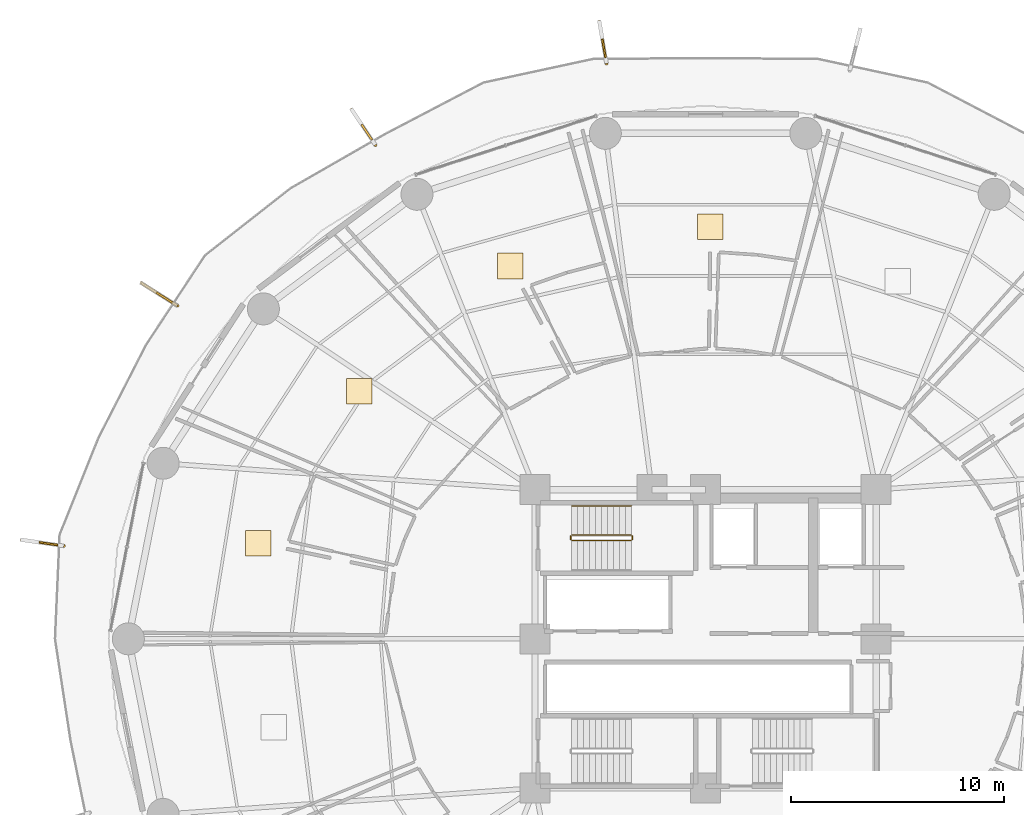
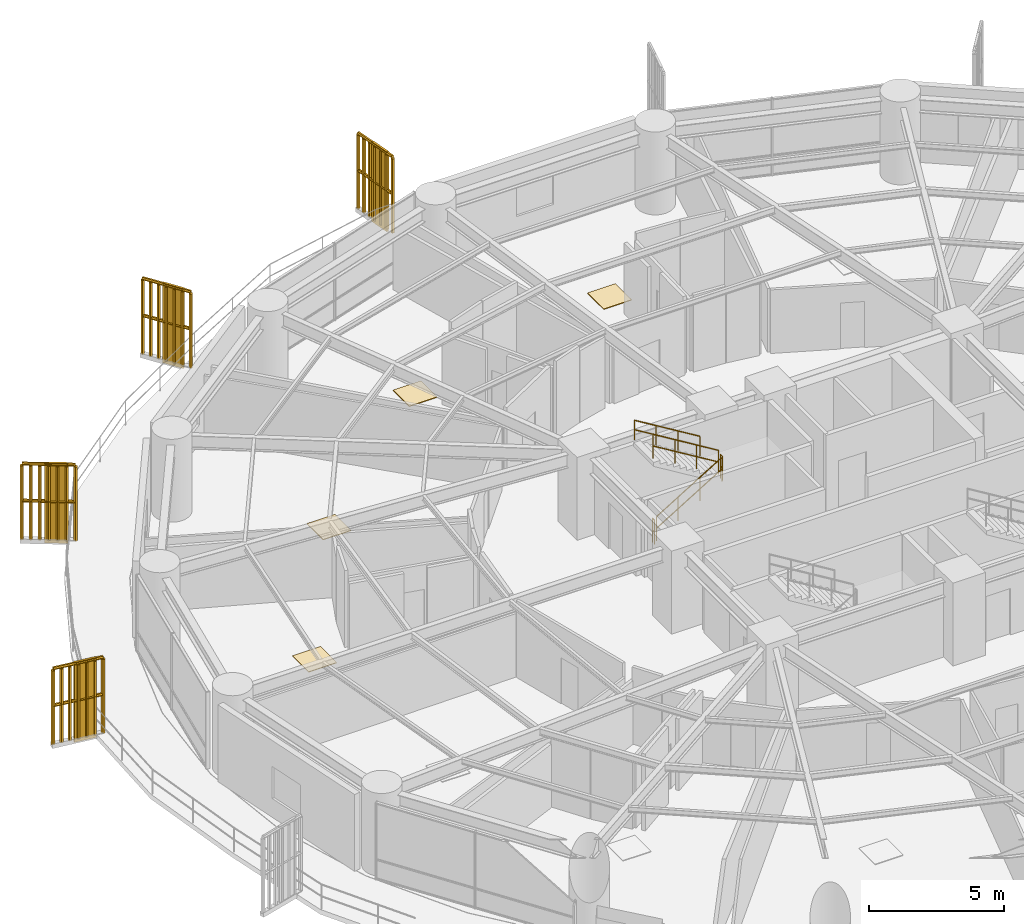
# One storey, part 32 of 33: 9 railings, 4 coverings, 4 shading devices.
"""IFC4 building model written with IfcOpenShell, lengths in metres."""

from ifc_helpers import new_model, si_unit, direction, frame, origin, origin_2d, place, context, subcontext, project, spatial, polyline, rectangle, outline, extrude, source, transform, mapped, material, layer, layer_set, type_object, element, save


model = new_model("IFC4")

# Units and contexts
model_context = context("Model", 3, precision=1e-05, world=origin(), true_north=direction((0.0, 1.0)))
body_context = subcontext(model_context, "Body", "Model", "MODEL_VIEW")
ifc_project = project(units=[si_unit("LENGTHUNIT", "METRE"), si_unit("AREAUNIT", "SQUARE_METRE"), si_unit("VOLUMEUNIT", "CUBIC_METRE"), si_unit("PLANEANGLEUNIT", "RADIAN"), si_unit("MASSUNIT", "GRAM", prefix="KILO")], contexts=[model_context])

# Site, building, storey
site_placement = place(None, origin())
site = spatial("IfcSite", under=ifc_project, at=site_placement, CompositionType="ELEMENT")
building_placement = place(site_placement, origin())
building = spatial("IfcBuilding", under=site, at=building_placement, Name="Kelanora Arch Commons", CompositionType="ELEMENT")
storey_placement = place(building_placement, frame((0.0, 0.0, 26.25)))
storey = spatial("IfcBuildingStorey", under=building, at=storey_placement, Name="L06", CompositionType="ELEMENT", Elevation=26.25)

# Railings
ifc_material_1 = material(Name="Anodised bronze vertical shading fin rib assembly")
railing_type_1 = type_object("IfcRailingType", Name="RAIL-FIN-BRZ", PredefinedType="BALUSTRADE", material=ifc_material_1)
railing_1_placement = place(storey_placement, frame((69.354248046875, 84.993896484375, -0.02001953125)))
element("IfcRailing", 1, at=railing_1_placement, inside=storey, type_object=railing_type_1, Name="Sweeping Bronze Vertical Fin Blade L06-04", PredefinedType="BALUSTRADE", context=body_context, shape_type="SweptSolid", body=[
    extrude(outline(polyline([(0.06982421875, 0.0), (0.034912109375, 0.060546875), (-0.034912109375, 0.060546875), (-0.06982421875, 0.0), (-0.034912109375, -0.060546875), (0.034912109375, -0.060546875), (0.06982421875, 0.0)])), frame((0.0, 0.0, 3.419921875), z_axis=(-0.16958275227, 0.985515951232, 0.0), x_axis=(-0.985515951232, -0.16958275227, 0.0)), (0.0, 0.0, 1.0), 1.992431640625),
    extrude(outline(polyline([(0.06982421875, 0.0), (0.034912109375, 0.060546875), (-0.034912109375, 0.060546875), (-0.06982421875, 0.0), (-0.034912109375, -0.060546875), (0.034912109375, -0.060546875), (0.06982421875, 0.0)])), frame((0.0, 0.0, 1.7451171875), z_axis=(-0.16958275227, 0.985515951232, 0.0), x_axis=(-0.985515951232, -0.16958275227, 0.0)), (0.0, 0.0, 1.0), 1.992431640625),
    extrude(outline(polyline([(0.080078125, 0.0), (0.0400390625, 0.0693359375), (-0.0400390625, 0.0693359375), (-0.080078125, 0.0), (-0.0400390625, -0.0693359375), (0.0400390625, -0.0693359375), (0.080078125, 0.0)])), origin(), (0.0, 0.0, 1.0), 3.35009765625),
    extrude(outline(polyline([(0.080078125, 0.0), (0.0400390625, 0.0693359375), (-0.0400390625, 0.0693359375), (-0.080078125, 0.0), (-0.0400390625, -0.0693359375), (0.0400390625, -0.0693359375), (0.080078125, 0.0)])), frame((-0.056396484375, 0.3271484375, 0.0)), (0.0, 0.0, 1.0), 3.35009765625),
    extrude(outline(polyline([(0.080078125, 0.0), (0.0400390625, 0.0693359375), (-0.0400390625, 0.0693359375), (-0.080078125, 0.0), (-0.0400390625, -0.0693359375), (0.0400390625, -0.0693359375), (0.080078125, 0.0)])), frame((-0.112548828125, 0.654541015625, 0.0)), (0.0, 0.0, 1.0), 3.35009765625),
    extrude(outline(polyline([(0.080078125, 0.0), (0.0400390625, 0.0693359375), (-0.0400390625, 0.0693359375), (-0.080078125, 0.0), (-0.0400390625, -0.0693359375), (0.0400390625, -0.0693359375), (0.080078125, 0.0)])), frame((-0.1689453125, 0.98193359375, 0.0)), (0.0, 0.0, 1.0), 3.35009765625),
    extrude(outline(polyline([(0.080078125, 0.0), (0.0400390625, 0.0693359375), (-0.0400390625, 0.0693359375), (-0.080078125, 0.0), (-0.0400390625, -0.0693359375), (0.0400390625, -0.0693359375), (0.080078125, 0.0)])), frame((-0.225341796875, 1.30908203125, 0.0)), (0.0, 0.0, 1.0), 3.35009765625),
    extrude(outline(polyline([(0.080078125, 0.0), (0.0400390625, 0.0693359375), (-0.0400390625, 0.0693359375), (-0.080078125, 0.0), (-0.0400390625, -0.0693359375), (0.0400390625, -0.0693359375), (0.080078125, 0.0)])), frame((-0.281494140625, 1.63623046875, 0.0)), (0.0, 0.0, 1.0), 3.35009765625),
    extrude(outline(polyline([(0.080078125, 0.0), (0.0400390625, 0.0693359375), (-0.0400390625, 0.0693359375), (-0.080078125, 0.0), (-0.0400390625, -0.0693359375), (0.0400390625, -0.0693359375), (0.080078125, 0.0)])), frame((-0.337890625, 1.963623046875, 0.0)), (0.0, 0.0, 1.0), 3.35009765625),
])
railing_2_placement = place(storey_placement, frame((58.51025390625, 81.168701171875, -0.02001953125)))
element("IfcRailing", 2, at=railing_2_placement, inside=storey, type_object=railing_type_1, Name="Sweeping Bronze Vertical Fin Blade L06-05", PredefinedType="BALUSTRADE", context=body_context, shape_type="SweptSolid", body=[
    extrude(outline(polyline([(0.06982421875, 0.0), (0.034912109375, 0.060546875), (-0.034912109375, 0.060546875), (-0.06982421875, 0.0), (-0.034912109375, -0.060546875), (0.034912109375, -0.060546875), (0.06982421875, 0.0)])), frame((0.0, 0.0, 3.419921875), z_axis=(-0.555774185253, 0.83133329959, 0.0), x_axis=(-0.83133329959, -0.555774185253, 0.0)), (0.0, 0.0, 1.0), 1.99267578125),
    extrude(outline(polyline([(0.06982421875, 0.0), (0.034912109375, 0.060546875), (-0.034912109375, 0.060546875), (-0.06982421875, 0.0), (-0.034912109375, -0.060546875), (0.034912109375, -0.060546875), (0.06982421875, 0.0)])), frame((0.0, 0.0, 1.7451171875), z_axis=(-0.555774185253, 0.83133329959, 0.0), x_axis=(-0.83133329959, -0.555774185253, 0.0)), (0.0, 0.0, 1.0), 1.99267578125),
    extrude(outline(polyline([(0.080078125, 0.0), (0.0400390625, 0.0693359375), (-0.0400390625, 0.0693359375), (-0.080078125, 0.0), (-0.0400390625, -0.0693359375), (0.0400390625, -0.0693359375), (0.080078125, 0.0)])), origin(), (0.0, 0.0, 1.0), 3.35009765625),
    extrude(outline(polyline([(0.080078125, 0.0), (0.0400390625, 0.0693359375), (-0.0400390625, 0.0693359375), (-0.080078125, 0.0), (-0.0400390625, -0.0693359375), (0.0400390625, -0.0693359375), (0.080078125, 0.0)])), frame((-0.1845703125, 0.276123046875, 0.0)), (0.0, 0.0, 1.0), 3.35009765625),
    extrude(outline(polyline([(0.080078125, 0.0), (0.0400390625, 0.0693359375), (-0.0400390625, 0.0693359375), (-0.080078125, 0.0), (-0.0400390625, -0.0693359375), (0.0400390625, -0.0693359375), (0.080078125, 0.0)])), frame((-0.369140625, 0.55224609375, 0.0)), (0.0, 0.0, 1.0), 3.35009765625),
    extrude(outline(polyline([(0.080078125, 0.0), (0.0400390625, 0.0693359375), (-0.0400390625, 0.0693359375), (-0.080078125, 0.0), (-0.0400390625, -0.0693359375), (0.0400390625, -0.0693359375), (0.080078125, 0.0)])), frame((-0.5537109375, 0.828125, 0.0)), (0.0, 0.0, 1.0), 3.35009765625),
    extrude(outline(polyline([(0.080078125, 0.0), (0.0400390625, 0.0693359375), (-0.0400390625, 0.0693359375), (-0.080078125, 0.0), (-0.0400390625, -0.0693359375), (0.0400390625, -0.0693359375), (0.080078125, 0.0)])), frame((-0.73828125, 1.104248046875, 0.0)), (0.0, 0.0, 1.0), 3.35009765625),
    extrude(outline(polyline([(0.080078125, 0.0), (0.0400390625, 0.0693359375), (-0.0400390625, 0.0693359375), (-0.080078125, 0.0), (-0.0400390625, -0.0693359375), (0.0400390625, -0.0693359375), (0.080078125, 0.0)])), frame((-0.9228515625, 1.38037109375, 0.0)), (0.0, 0.0, 1.0), 3.35009765625),
    extrude(outline(polyline([(0.080078125, 0.0), (0.0400390625, 0.0693359375), (-0.0400390625, 0.0693359375), (-0.080078125, 0.0), (-0.0400390625, -0.0693359375), (0.0400390625, -0.0693359375), (0.080078125, 0.0)])), frame((-1.107421875, 1.656494140625, 0.0)), (0.0, 0.0, 1.0), 3.35009765625),
])
railing_3_placement = place(storey_placement, frame((49.220703125, 73.62548828125, -0.02001953125)))
element("IfcRailing", 3, at=railing_3_placement, inside=storey, type_object=railing_type_1, Name="Sweeping Bronze Vertical Fin Blade L06-06", PredefinedType="BALUSTRADE", context=body_context, shape_type="SweptSolid", body=[
    extrude(outline(polyline([(0.06982421875, 0.0), (0.034912109375, 0.060546875), (-0.034912109375, 0.060546875), (-0.06982421875, 0.0), (-0.034912109375, -0.060546875), (0.034912109375, -0.060546875), (0.06982421875, 0.0)])), frame((0.0, 0.0, 3.419921875), z_axis=(-0.845864308413, 0.533398136248, 0.0), x_axis=(-0.533398136248, -0.845864308413, 0.0)), (0.0, 0.0, 1.0), 1.992431640625),
    extrude(outline(polyline([(0.06982421875, 0.0), (0.034912109375, 0.060546875), (-0.034912109375, 0.060546875), (-0.06982421875, 0.0), (-0.034912109375, -0.060546875), (0.034912109375, -0.060546875), (0.06982421875, 0.0)])), frame((0.0, 0.0, 1.7451171875), z_axis=(-0.845864308413, 0.533398136248, 0.0), x_axis=(-0.533398136248, -0.845864308413, 0.0)), (0.0, 0.0, 1.0), 1.992431640625),
    extrude(outline(polyline([(0.080078125, 0.0), (0.0400390625, 0.0693359375), (-0.0400390625, 0.0693359375), (-0.080078125, 0.0), (-0.0400390625, -0.0693359375), (0.0400390625, -0.0693359375), (0.080078125, 0.0)])), origin(), (0.0, 0.0, 1.0), 3.35009765625),
    extrude(outline(polyline([(0.080078125, 0.0), (0.0400390625, 0.0693359375), (-0.0400390625, 0.0693359375), (-0.080078125, 0.0), (-0.0400390625, -0.0693359375), (0.0400390625, -0.0693359375), (0.080078125, 0.0)])), frame((-0.28076171875, 0.17724609375, 0.0)), (0.0, 0.0, 1.0), 3.35009765625),
    extrude(outline(polyline([(0.080078125, 0.0), (0.0400390625, 0.0693359375), (-0.0400390625, 0.0693359375), (-0.080078125, 0.0), (-0.0400390625, -0.0693359375), (0.0400390625, -0.0693359375), (0.080078125, 0.0)])), frame((-0.561767578125, 0.354248046875, 0.0)), (0.0, 0.0, 1.0), 3.35009765625),
    extrude(outline(polyline([(0.080078125, 0.0), (0.0400390625, 0.0693359375), (-0.0400390625, 0.0693359375), (-0.080078125, 0.0), (-0.0400390625, -0.0693359375), (0.0400390625, -0.0693359375), (0.080078125, 0.0)])), frame((-0.8427734375, 0.53125, 0.0)), (0.0, 0.0, 1.0), 3.35009765625),
    extrude(outline(polyline([(0.080078125, 0.0), (0.0400390625, 0.0693359375), (-0.0400390625, 0.0693359375), (-0.080078125, 0.0), (-0.0400390625, -0.0693359375), (0.0400390625, -0.0693359375), (0.080078125, 0.0)])), frame((-1.12353515625, 0.70849609375, 0.0)), (0.0, 0.0, 1.0), 3.35009765625),
    extrude(outline(polyline([(0.080078125, 0.0), (0.0400390625, 0.0693359375), (-0.0400390625, 0.0693359375), (-0.080078125, 0.0), (-0.0400390625, -0.0693359375), (0.0400390625, -0.0693359375), (0.080078125, 0.0)])), frame((-1.404296875, 0.8857421875, 0.0)), (0.0, 0.0, 1.0), 3.35009765625),
    extrude(outline(polyline([(0.080078125, 0.0), (0.0400390625, 0.0693359375), (-0.0400390625, 0.0693359375), (-0.080078125, 0.0), (-0.0400390625, -0.0693359375), (0.0400390625, -0.0693359375), (0.080078125, 0.0)])), frame((-1.685302734375, 1.062744140625, 0.0)), (0.0, 0.0, 1.0), 3.35009765625),
])
railing_4_placement = place(storey_placement, frame((43.888916015625, 62.35791015625, -0.02001953125)))
element("IfcRailing", 4, at=railing_4_placement, inside=storey, type_object=railing_type_1, Name="Sweeping Bronze Vertical Fin Blade L06-07", PredefinedType="BALUSTRADE", context=body_context, shape_type="SweptSolid", body=[
    extrude(outline(polyline([(0.06982421875, 0.0), (0.034912109375, 0.060546875), (-0.034912109375, 0.060546875), (-0.06982421875, 0.0), (-0.034912109375, -0.060546875), (0.034912109375, -0.060546875), (0.06982421875, 0.0)])), frame((0.0, 0.0, 3.419921875), z_axis=(-0.989688056564, 0.143239487201, 0.0), x_axis=(-0.143239487201, -0.989688056564, 0.0)), (0.0, 0.0, 1.0), 1.992431640625),
    extrude(outline(polyline([(0.06982421875, 0.0), (0.034912109375, 0.060546875), (-0.034912109375, 0.060546875), (-0.06982421875, 0.0), (-0.034912109375, -0.060546875), (0.034912109375, -0.060546875), (0.06982421875, 0.0)])), frame((0.0, 0.0, 1.7451171875), z_axis=(-0.989688056564, 0.143239487201, 0.0), x_axis=(-0.143239487201, -0.989688056564, 0.0)), (0.0, 0.0, 1.0), 1.992431640625),
    extrude(outline(polyline([(0.080078125, 0.0), (0.0400390625, 0.0693359375), (-0.0400390625, 0.0693359375), (-0.080078125, 0.0), (-0.0400390625, -0.0693359375), (0.0400390625, -0.0693359375), (0.080078125, 0.0)])), origin(), (0.0, 0.0, 1.0), 3.35009765625),
    extrude(outline(polyline([(0.080078125, 0.0), (0.0400390625, 0.0693359375), (-0.0400390625, 0.0693359375), (-0.080078125, 0.0), (-0.0400390625, -0.0693359375), (0.0400390625, -0.0693359375), (0.080078125, 0.0)])), frame((-0.32861328125, 0.047607421875, 0.0)), (0.0, 0.0, 1.0), 3.35009765625),
    extrude(outline(polyline([(0.080078125, 0.0), (0.0400390625, 0.0693359375), (-0.0400390625, 0.0693359375), (-0.080078125, 0.0), (-0.0400390625, -0.0693359375), (0.0400390625, -0.0693359375), (0.080078125, 0.0)])), frame((-0.6572265625, 0.09521484375, 0.0)), (0.0, 0.0, 1.0), 3.35009765625),
    extrude(outline(polyline([(0.080078125, 0.0), (0.0400390625, 0.0693359375), (-0.0400390625, 0.0693359375), (-0.080078125, 0.0), (-0.0400390625, -0.0693359375), (0.0400390625, -0.0693359375), (0.080078125, 0.0)])), frame((-0.98583984375, 0.142578125, 0.0)), (0.0, 0.0, 1.0), 3.35009765625),
    extrude(outline(polyline([(0.080078125, 0.0), (0.0400390625, 0.0693359375), (-0.0400390625, 0.0693359375), (-0.080078125, 0.0), (-0.0400390625, -0.0693359375), (0.0400390625, -0.0693359375), (0.080078125, 0.0)])), frame((-1.314697265625, 0.190185546875, 0.0)), (0.0, 0.0, 1.0), 3.35009765625),
    extrude(outline(polyline([(0.080078125, 0.0), (0.0400390625, 0.0693359375), (-0.0400390625, 0.0693359375), (-0.080078125, 0.0), (-0.0400390625, -0.0693359375), (0.0400390625, -0.0693359375), (0.080078125, 0.0)])), frame((-1.643310546875, 0.23779296875, 0.0)), (0.0, 0.0, 1.0), 3.35009765625),
    extrude(outline(polyline([(0.080078125, 0.0), (0.0400390625, 0.0693359375), (-0.0400390625, 0.0693359375), (-0.080078125, 0.0), (-0.0400390625, -0.0693359375), (0.0400390625, -0.0693359375), (0.080078125, 0.0)])), frame((-1.971923828125, 0.285400390625, 0.0)), (0.0, 0.0, 1.0), 3.35009765625),
])
ifc_material_2 = material(Name="Painted steel stair well guard", Category="steel")
railing_type_2 = type_object("IfcRailingType", Name="RAIL-STAIR-GRD", PredefinedType="GUARDRAIL", material=ifc_material_2)
railing_5_placement = place(storey_placement, frame((67.719970703125, 62.610107421875, 0.17041015625)))
element("IfcRailing", 5, at=railing_5_placement, inside=storey, type_object=railing_type_2, Name="L06 ST-T1 stair guard 1", PredefinedType="GUARDRAIL", context=body_context, shape_type="SweptSolid", body=[
    extrude(outline(polyline([(0.02392578125, 0.0), (0.011962890625, 0.020751953125), (-0.011962890625, 0.020751953125), (-0.02392578125, 0.0), (-0.011962890625, -0.020751953125), (0.011962890625, -0.020751953125), (0.02392578125, 0.0)])), frame((0.0, 0.0, 1.076171875), z_axis=(0.854169791009, 0.0, 0.51999420009), x_axis=(0.0, 1.0, 0.0)), (0.0, 0.0, 1.0), 3.278076171875),
    extrude(outline(polyline([(0.02392578125, 0.0), (0.011962890625, 0.020751953125), (-0.011962890625, 0.020751953125), (-0.02392578125, 0.0), (-0.011962890625, -0.020751953125), (0.011962890625, -0.020751953125), (0.02392578125, 0.0)])), frame((0.0, 0.0, 0.550048828125), z_axis=(0.854169791009, 0.0, 0.51999420009), x_axis=(0.0, 1.0, 0.0)), (0.0, 0.0, 1.0), 3.278076171875),
    extrude(outline(polyline([(0.02099609375, 0.0), (0.010498046875, 0.01806640625), (-0.010498046875, 0.01806640625), (-0.02099609375, 0.0), (-0.010498046875, -0.01806640625), (0.010498046875, -0.01806640625), (0.02099609375, 0.0)])), origin(), (0.0, 0.0, 1.0), 1.052001953125),
    extrude(outline(polyline([(0.02099609375, 0.0), (0.010498046875, 0.01806640625), (-0.010498046875, 0.01806640625), (-0.02099609375, 0.0), (-0.010498046875, -0.01806640625), (0.010498046875, -0.01806640625), (0.02099609375, 0.0)])), frame((0.933349609375, 0.0, 0.568115234375)), (0.0, 0.0, 1.0), 1.052001953125),
    extrude(outline(polyline([(0.02099609375, 0.0), (0.010498046875, 0.01806640625), (-0.010498046875, 0.01806640625), (-0.02099609375, 0.0), (-0.010498046875, -0.01806640625), (0.010498046875, -0.01806640625), (0.02099609375, 0.0)])), frame((1.86669921875, 0.0, 1.136474609375)), (0.0, 0.0, 1.0), 1.052001953125),
    extrude(outline(polyline([(0.02099609375, 0.0), (0.010498046875, 0.01806640625), (-0.010498046875, 0.01806640625), (-0.02099609375, 0.0), (-0.010498046875, -0.01806640625), (0.010498046875, -0.01806640625), (0.02099609375, 0.0)])), frame((2.800048828125, 0.0, 1.70458984375)), (0.0, 0.0, 1.0), 1.052001953125),
])
railing_6_placement = place(storey_placement, frame((70.570068359375, 62.659912109375, 1.875)))
element("IfcRailing", 6, at=railing_6_placement, inside=storey, type_object=railing_type_2, Name="L06 ST-T1 stair guard 2", PredefinedType="GUARDRAIL", context=body_context, shape_type="SweptSolid", body=[
    extrude(outline(polyline([(0.02392578125, 0.0), (0.011962890625, 0.020751953125), (-0.011962890625, 0.020751953125), (-0.02392578125, 0.0), (-0.011962890625, -0.020751953125), (0.011962890625, -0.020751953125), (0.02392578125, 0.0)])), frame((0.0, 0.0, 1.076171875), z_axis=(0.0, 1.0, 0.0), x_axis=(-1.0, 0.0, 0.0)), (0.0, 0.0, 1.0), 0.150146484375),
    extrude(outline(polyline([(0.02392578125, 0.0), (0.011962890625, 0.020751953125), (-0.011962890625, 0.020751953125), (-0.02392578125, 0.0), (-0.011962890625, -0.020751953125), (0.011962890625, -0.020751953125), (0.02392578125, 0.0)])), frame((0.0, 0.0, 0.550048828125), z_axis=(0.0, 1.0, 0.0), x_axis=(-1.0, 0.0, 0.0)), (0.0, 0.0, 1.0), 0.150146484375),
    extrude(outline(polyline([(0.02099609375, 0.0), (0.010498046875, 0.01806640625), (-0.010498046875, 0.01806640625), (-0.02099609375, 0.0), (-0.010498046875, -0.01806640625), (0.010498046875, -0.01806640625), (0.02099609375, 0.0)])), origin(), (0.0, 0.0, 1.0), 1.052001953125),
    extrude(outline(polyline([(0.02099609375, 0.0), (0.010498046875, 0.01806640625), (-0.010498046875, 0.01806640625), (-0.02099609375, 0.0), (-0.010498046875, -0.01806640625), (0.010498046875, -0.01806640625), (0.02099609375, 0.0)])), frame((0.0, 0.150146484375, 0.0)), (0.0, 0.0, 1.0), 1.052001953125),
])
railing_7_placement = place(storey_placement, frame((70.52001953125, 62.860107421875, 2.04541015625)))
element("IfcRailing", 7, at=railing_7_placement, inside=storey, type_object=railing_type_2, Name="L06 ST-T1 stair guard 3", PredefinedType="GUARDRAIL", context=body_context, shape_type="SweptSolid", body=[
    extrude(outline(polyline([(0.02392578125, 0.0), (0.011962890625, 0.020751953125), (-0.011962890625, 0.020751953125), (-0.02392578125, 0.0), (-0.011962890625, -0.020751953125), (0.011962890625, -0.020751953125), (0.02392578125, 0.0)])), frame((0.0, 0.0, 1.076171875), z_axis=(-0.854169791009, 0.0, 0.51999420009), x_axis=(0.0, -1.0, 0.0)), (0.0, 0.0, 1.0), 3.278076171875),
    extrude(outline(polyline([(0.02392578125, 0.0), (0.011962890625, 0.020751953125), (-0.011962890625, 0.020751953125), (-0.02392578125, 0.0), (-0.011962890625, -0.020751953125), (0.011962890625, -0.020751953125), (0.02392578125, 0.0)])), frame((0.0, 0.0, 0.550048828125), z_axis=(-0.854169791009, 0.0, 0.51999420009), x_axis=(0.0, -1.0, 0.0)), (0.0, 0.0, 1.0), 3.278076171875),
    extrude(outline(polyline([(0.02099609375, 0.0), (0.010498046875, 0.01806640625), (-0.010498046875, 0.01806640625), (-0.02099609375, 0.0), (-0.010498046875, -0.01806640625), (0.010498046875, -0.01806640625), (0.02099609375, 0.0)])), origin(), (0.0, 0.0, 1.0), 1.052001953125),
    extrude(outline(polyline([(0.02099609375, 0.0), (0.010498046875, 0.01806640625), (-0.010498046875, 0.01806640625), (-0.02099609375, 0.0), (-0.010498046875, -0.01806640625), (0.010498046875, -0.01806640625), (0.02099609375, 0.0)])), frame((-0.933349609375, 0.0, 0.568115234375)), (0.0, 0.0, 1.0), 1.052001953125),
    extrude(outline(polyline([(0.02099609375, 0.0), (0.010498046875, 0.01806640625), (-0.010498046875, 0.01806640625), (-0.02099609375, 0.0), (-0.010498046875, -0.01806640625), (0.010498046875, -0.01806640625), (0.02099609375, 0.0)])), frame((-1.86669921875, 0.0, 1.136474609375)), (0.0, 0.0, 1.0), 1.052001953125),
    extrude(outline(polyline([(0.02099609375, 0.0), (0.010498046875, 0.01806640625), (-0.010498046875, 0.01806640625), (-0.02099609375, 0.0), (-0.010498046875, -0.01806640625), (0.010498046875, -0.01806640625), (0.02099609375, 0.0)])), frame((-2.800048828125, 0.0, 1.70458984375)), (0.0, 0.0, 1.0), 1.052001953125),
])
railing_8_placement = place(storey_placement, frame((67.669921875, 62.659912109375, 0.0)))
element("IfcRailing", 8, at=railing_8_placement, inside=storey, type_object=railing_type_2, Name="L06 ST-T1 stair guard 4", PredefinedType="GUARDRAIL", context=body_context, shape_type="SweptSolid", body=[
    extrude(outline(polyline([(0.02392578125, 0.0), (0.011962890625, 0.020751953125), (-0.011962890625, 0.020751953125), (-0.02392578125, 0.0), (-0.011962890625, -0.020751953125), (0.011962890625, -0.020751953125), (0.02392578125, 0.0)])), frame((0.0, 0.0, 1.076171875), z_axis=(0.0, 1.0, 0.0), x_axis=(-1.0, 0.0, 0.0)), (0.0, 0.0, 1.0), 0.150146484375),
    extrude(outline(polyline([(0.02392578125, 0.0), (0.011962890625, 0.020751953125), (-0.011962890625, 0.020751953125), (-0.02392578125, 0.0), (-0.011962890625, -0.020751953125), (0.011962890625, -0.020751953125), (0.02392578125, 0.0)])), frame((0.0, 0.0, 0.550048828125), z_axis=(0.0, 1.0, 0.0), x_axis=(-1.0, 0.0, 0.0)), (0.0, 0.0, 1.0), 0.150146484375),
    extrude(outline(polyline([(0.02099609375, 0.0), (0.010498046875, 0.01806640625), (-0.010498046875, 0.01806640625), (-0.02099609375, 0.0), (-0.010498046875, -0.01806640625), (0.010498046875, -0.01806640625), (0.02099609375, 0.0)])), origin(), (0.0, 0.0, 1.0), 1.052001953125),
    extrude(outline(polyline([(0.02099609375, 0.0), (0.010498046875, 0.01806640625), (-0.010498046875, 0.01806640625), (-0.02099609375, 0.0), (-0.010498046875, -0.01806640625), (0.010498046875, -0.01806640625), (0.02099609375, 0.0)])), frame((0.0, 0.150146484375, 0.0)), (0.0, 0.0, 1.0), 1.052001953125),
])
ifc_material_3 = material(Name="Brushed stainless steel stair handrail", Category="steel")
railing_type_3 = type_object("IfcRailingType", Name="RAIL-STAIR-HND", PredefinedType="HANDRAIL", material=ifc_material_3)
railing_9_placement = place(storey_placement, frame((70.52001953125, 64.239990234375, 2.04541015625)))
element("IfcRailing", 9, at=railing_9_placement, inside=storey, type_object=railing_type_3, Name="L06 ST-T1 stair handrail 2", PredefinedType="HANDRAIL", context=body_context, shape_type="SweptSolid", body=[
    extrude(outline(polyline([(0.02392578125, 0.0), (0.011962890625, 0.020751953125), (-0.011962890625, 0.020751953125), (-0.02392578125, 0.0), (-0.011962890625, -0.020751953125), (0.011962890625, -0.020751953125), (0.02392578125, 0.0)])), frame((0.0, 0.0, 0.8759765625), z_axis=(-0.854169791009, 0.0, 0.51999420009), x_axis=(0.0, -1.0, 0.0)), (0.0, 0.0, 1.0), 3.278076171875),
    extrude(outline(polyline([(0.02392578125, 0.0), (0.011962890625, 0.020751953125), (-0.011962890625, 0.020751953125), (-0.02392578125, 0.0), (-0.011962890625, -0.020751953125), (0.011962890625, -0.020751953125), (0.02392578125, 0.0)])), frame((0.0, 0.0, 0.449951171875), z_axis=(-0.854169791009, 0.0, 0.51999420009), x_axis=(0.0, -1.0, 0.0)), (0.0, 0.0, 1.0), 3.278076171875),
    extrude(outline(polyline([(0.02099609375, 0.0), (0.010498046875, 0.01806640625), (-0.010498046875, 0.01806640625), (-0.02099609375, 0.0), (-0.010498046875, -0.01806640625), (0.010498046875, -0.01806640625), (0.02099609375, 0.0)])), origin(), (0.0, 0.0, 1.0), 0.851806640625),
    extrude(outline(polyline([(0.02099609375, 0.0), (0.010498046875, 0.01806640625), (-0.010498046875, 0.01806640625), (-0.02099609375, 0.0), (-0.010498046875, -0.01806640625), (0.010498046875, -0.01806640625), (0.02099609375, 0.0)])), frame((-0.933349609375, 0.0, 0.568115234375)), (0.0, 0.0, 1.0), 0.851806640625),
    extrude(outline(polyline([(0.02099609375, 0.0), (0.010498046875, 0.01806640625), (-0.010498046875, 0.01806640625), (-0.02099609375, 0.0), (-0.010498046875, -0.01806640625), (0.010498046875, -0.01806640625), (0.02099609375, 0.0)])), frame((-1.86669921875, 0.0, 1.136474609375)), (0.0, 0.0, 1.0), 0.851806640625),
    extrude(outline(polyline([(0.02099609375, 0.0), (0.010498046875, 0.01806640625), (-0.010498046875, 0.01806640625), (-0.02099609375, 0.0), (-0.010498046875, -0.01806640625), (0.010498046875, -0.01806640625), (0.02099609375, 0.0)])), frame((-2.800048828125, 0.0, 1.70458984375)), (0.0, 0.0, 1.0), 0.851806640625),
])

# Shading devices
ifc_material_4 = material(Name="Terracotta ceramic-clad extruded aluminium fin", Category="masonry")
shading_device_type = type_object("IfcShadingDeviceType", Name="SHD-FIN-FLARE", PredefinedType="USERDEFINED", material=ifc_material_4)
shared_shape_1 = source(origin(), body_context, "Body", "SweptSolid", [
    extrude(rectangle(XDim=0.8798828125, YDim=0.090087890625, at=origin_2d()), origin(), (0.0, 0.0, 1.0), 3.610107421875),
])
for number, where, z_axis, x_axis, name in (
    (10, (69.232177734375, 85.70361328125, -0.14013671875), (0.0, 0.0, 1.0), (-0.169693517489, 0.985496884887, 0.0), "Sweeping Terracotta Fin L06-04"),
    (11, (58.110107421875, 81.767333984375, -0.14013671875), (0.0, 0.0, 1.0), (-0.555860436814, 0.831275631055, 0.0), "Sweeping Terracotta Fin L06-05"),
    (12, (48.61181640625, 74.009521484375, -0.14013671875), (0.0, 0.0, 1.0), (-0.845820942125, 0.533466900438, 0.0), "Sweeping Terracotta Fin L06-06"),
    (13, (43.176513671875, 62.4609375, -0.14013671875), (0.0, 0.0, 1.0), (-0.989676415933, 0.143319893055, 0.0), "Sweeping Terracotta Fin L06-07"),
):
    element("IfcShadingDevice", number, at=place(storey_placement, frame(where, z_axis=z_axis, x_axis=x_axis)), inside=storey, type_object=shading_device_type, Name=name, ObjectType="FIN", PredefinedType="USERDEFINED", context=body_context, shape_type="MappedRepresentation", body=[
        mapped(shared_shape_1, transform((0.0, 0.0, 0.0), scale=1.0)),
    ])

# Coverings
ifc_material_5 = material(Name="Polished local granite terrazzo flooring", Category="masonry")
ifc_layer = layer(ifc_material_5, 0.030029296875)
ifc_layer_set = layer_set([ifc_layer], Name="Polished local granite terrazzo flooring")
covering_type = type_object("IfcCoveringType", Name="COV-FLR-TER", PredefinedType="FLOORING", material=ifc_layer_set)
shared_shape_2 = source(origin(), body_context, "Body", "SweptSolid", [
    extrude(rectangle(XDim=1.199951171875, YDim=1.199951171875, at=origin_2d()), origin(), (0.0, 0.0, 1.0), 0.030029296875),
])
for number, where, z_axis, x_axis, name in (
    (14, (74.2109375, 77.322998046875, 0.0), (0.0, 0.0, 1.0), (1.0, 0.0, 0.0), "Co-Living Studio L06-04 Terrazzo Finish"),
    (15, (64.830810546875, 75.48974609375, 0.0), (0.0, 0.0, 1.0), (1.0, 0.0, 0.0), "Co-Living Studio L06-05 Terrazzo Finish"),
    (16, (57.7548828125, 69.614013671875, 0.0), (0.0, 0.0, 1.0), (1.0, 0.0, 0.0), "Quiet Seminar Study Room L06-06 Terrazzo Finish"),
    (17, (53.017333984375, 62.48046875, 0.0), (0.0, 0.0, 1.0), (1.0, 0.0, 0.0), "Co-Living Studio L06-07 Terrazzo Finish"),
):
    element("IfcCovering", number, at=place(storey_placement, frame(where, z_axis=z_axis, x_axis=x_axis)), inside=storey, type_object=covering_type, Name=name, PredefinedType="FLOORING", context=body_context, shape_type="MappedRepresentation", body=[
        mapped(shared_shape_2, transform((0.0, 0.0, 0.0), scale=1.0)),
    ])

save(model, "model.ifc")
